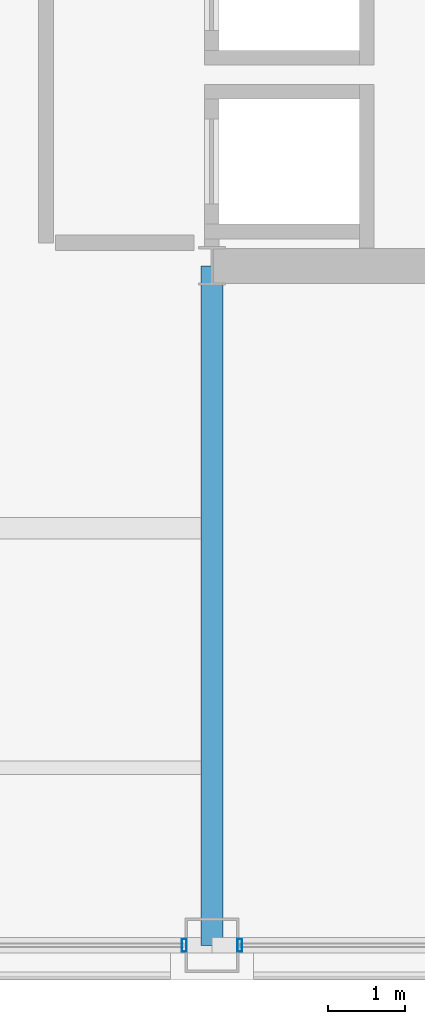
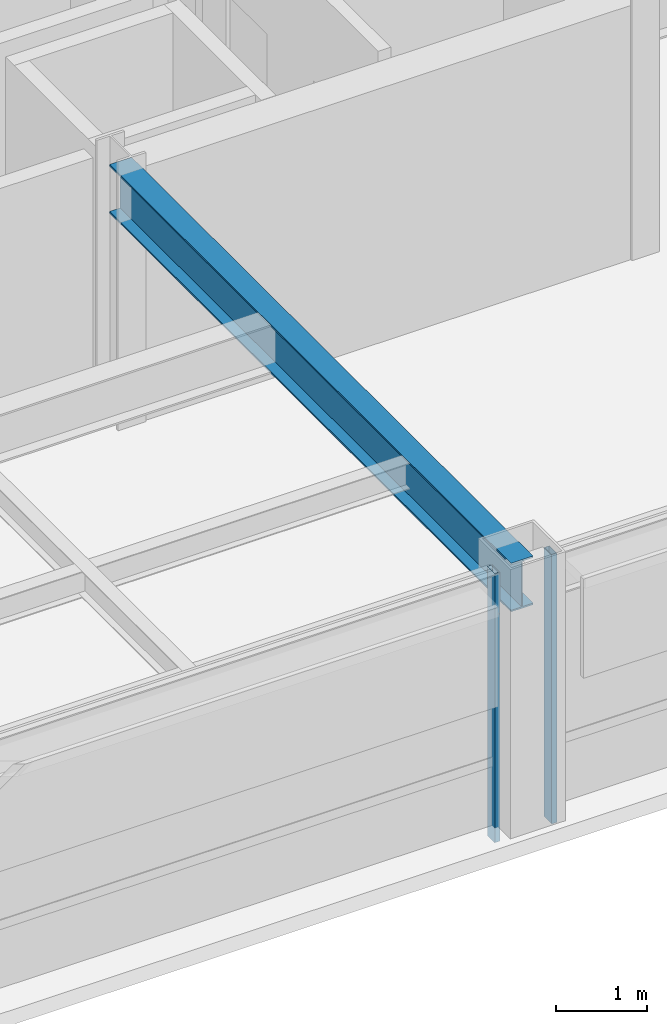
# One storey, part 6 of 26: 2 members, 1 beam, 2 elements without a shape of their own.
"""IFC4 building model written with IfcOpenShell, lengths in metres."""

from ifc_helpers import new_model, si_unit, direction, frame, origin, origin_2d, place, context, subcontext, project, spatial, hollow_rectangle, i_section, extrude, material, layer, layer_set, material_profile, profile_set, type_object, element, aggregate, save


model = new_model("IFC4")

# Units and contexts
model_context = context("Model", 3, precision=1e-05, world=origin(), true_north=direction((0.0, 1.0)))
body_context = subcontext(model_context, "Body", "Model", "MODEL_VIEW")
ifc_project = project(units=[si_unit("LENGTHUNIT", "METRE"), si_unit("AREAUNIT", "SQUARE_METRE"), si_unit("VOLUMEUNIT", "CUBIC_METRE"), si_unit("PLANEANGLEUNIT", "RADIAN"), si_unit("MASSUNIT", "GRAM", prefix="KILO")], contexts=[model_context])

# Site, building, storey
site_placement = place(None, origin())
site = spatial("IfcSite", under=ifc_project, at=site_placement, CompositionType="ELEMENT")
building_placement = place(site_placement, origin())
building = spatial("IfcBuilding", under=site, at=building_placement, Name="Brelmoor Portico Tower", CompositionType="ELEMENT")
storey_placement = place(building_placement, frame((0.0, 0.0, 205.5)))
storey = spatial("IfcBuildingStorey", under=building, at=storey_placement, Name="L54", CompositionType="ELEMENT", Elevation=205.5)

# Beam
ifc_material_1 = material(Name="Steel Q355B", Category="steel")
ifc_material_profile_1 = material_profile(ifc_material_1, i_section(OverallWidth=0.280029296875, OverallDepth=0.64990234375, WebThickness=0.012939453125, FlangeThickness=0.02197265625, at=origin_2d()), Name="HN 650x280x13x22")
ifc_profile_set_1 = profile_set([ifc_material_profile_1], Name="Steel Q355B")
beam_type = type_object("IfcBeamType", Name="BM-PG-650", PredefinedType="BEAM", material=ifc_profile_set_1)
beam_placement = place(storey_placement, frame((8.050048828125, -18.550048828125, 3.074951171875), z_axis=(0.0, 1.0, 0.0), x_axis=(-1.0, 0.0, 0.0)))
element("IfcBeam", 1, at=beam_placement, inside=storey, type_object=beam_type, Name="L54 Primary Floor Girder PG-06", PredefinedType="BEAM", context=body_context, shape_type="SweptSolid", body=[
    extrude(i_section(OverallWidth=0.280029296875, OverallDepth=0.64990234375, WebThickness=0.012939453125, FlangeThickness=0.02197265625, at=origin_2d()), origin(), (0.0, 0.0, 1.0), 8.800048828125),
])

# Curtain wall, member
ifc_material_2 = material(Name="Anodised Aluminium Alloy 6063-T6", Category="aluminium")
ifc_layer = layer(ifc_material_2, 0.179931640625)
ifc_layer_set = layer_set([ifc_layer], Name="Anodised Aluminium Alloy 6063-T6")
curtain_wall_type = type_object("IfcCurtainWallType", Name="CW-TOWER-Z3", PredefinedType="NOTDEFINED", material=ifc_layer_set)
curtain_wall_1_placement = place(storey_placement, origin())
curtain_wall_1 = element("IfcCurtainWall", 2, at=curtain_wall_1_placement, inside=storey, type_object=curtain_wall_type, Name="L54 Curtain Wall CW-L54-01-2", PredefinedType="NOTDEFINED")
ifc_material_profile_2 = material_profile(ifc_material_2, hollow_rectangle(XDim=0.06494140625, YDim=0.1650390625, WallThickness=0.00390625, at=origin_2d()), Name="ALU MULLION 65x165")
ifc_profile_set_2 = profile_set([ifc_material_profile_2], Name="Anodised Aluminium Alloy 6063-T6")
member_type = type_object("IfcMemberType", Name="MB-CW-MULL-165", PredefinedType="MULLION", material=ifc_profile_set_2)
member_1_placement = place(storey_placement, frame((7.68994140625, -18.550048828125, -0.199951171875), z_axis=(0.0, 0.0, 1.0), x_axis=(1.0, 0.0, 0.0)))
member_1 = element("IfcMember", 3, at=member_1_placement, type_object=member_type, Name="CW-L54-01-2 Mullion 01", PredefinedType="MULLION", context=body_context, shape_type="SweptSolid", body=[
    extrude(hollow_rectangle(XDim=0.06494140625, YDim=0.1650390625, WallThickness=0.00390625, at=origin_2d()), origin(), (0.0, 0.0, 1.0), 3.599853515625),
])
aggregate(curtain_wall_1, [member_1])

curtain_wall_2_placement = place(storey_placement, origin())
curtain_wall_2 = element("IfcCurtainWall", 4, at=curtain_wall_2_placement, inside=storey, type_object=curtain_wall_type, Name="L54 Curtain Wall CW-L54-01-3", PredefinedType="NOTDEFINED")
member_2_placement = place(storey_placement, frame((8.409912109375, -18.550048828125, -0.199951171875), z_axis=(0.0, 0.0, 1.0), x_axis=(1.0, 0.0, 0.0)))
member_2 = element("IfcMember", 5, at=member_2_placement, type_object=member_type, Name="CW-L54-01-3 Mullion 00", PredefinedType="MULLION", context=body_context, shape_type="SweptSolid", body=[
    extrude(hollow_rectangle(XDim=0.06494140625, YDim=0.1650390625, WallThickness=0.00390625, at=origin_2d()), origin(), (0.0, 0.0, 1.0), 3.599853515625),
])
aggregate(curtain_wall_2, [member_2])

save(model, "model.ifc")
